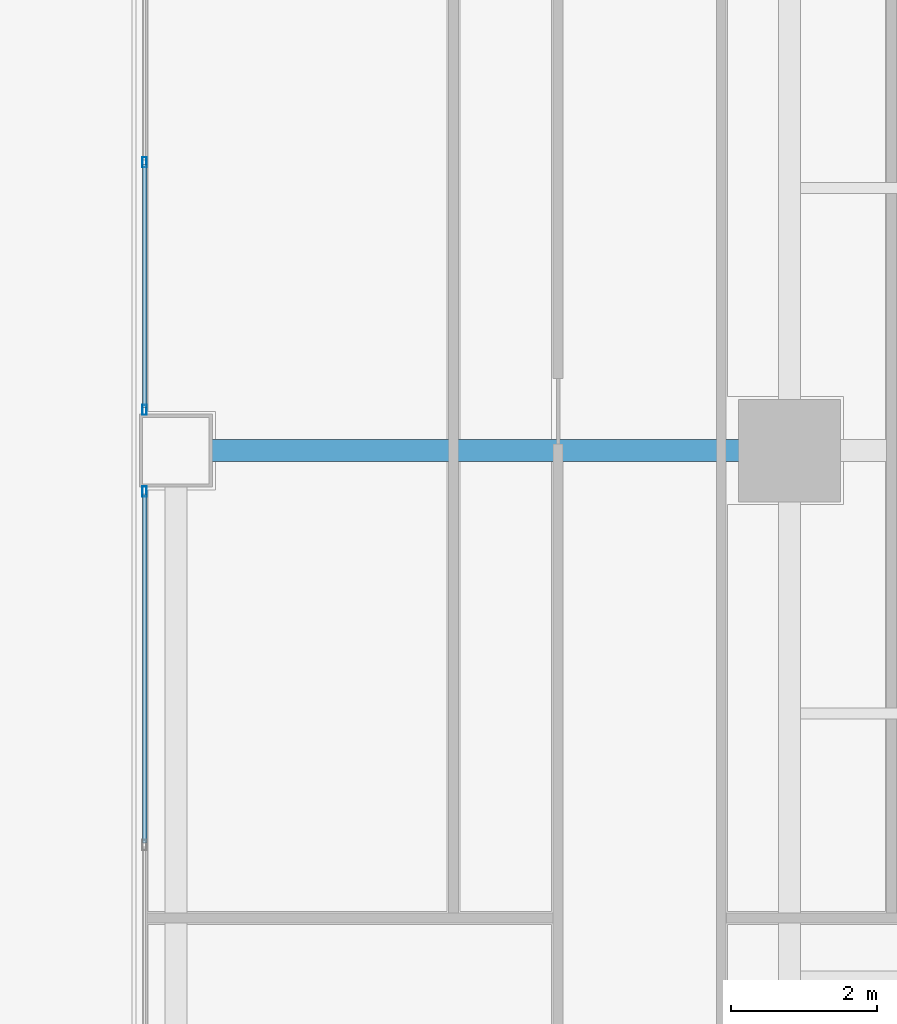
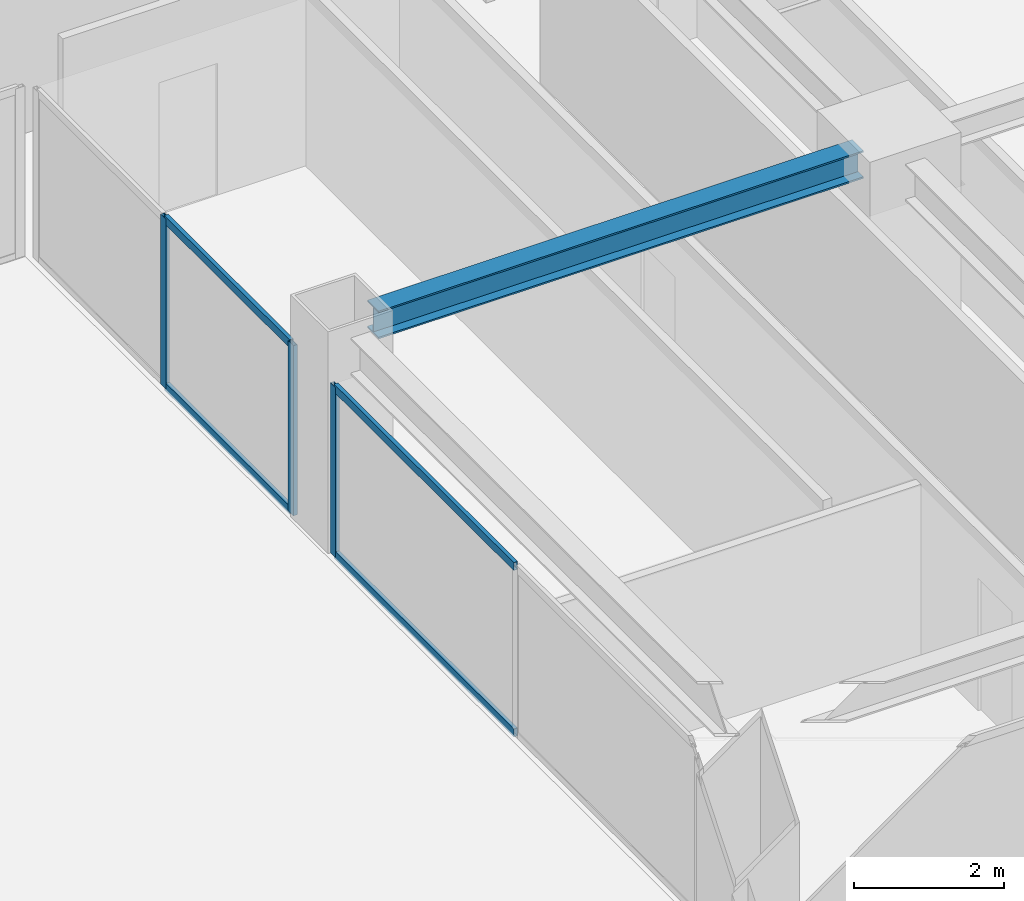
# One storey, part 14 of 30: 7 members, 1 beam, 2 elements without a shape of their own.
"""IFC4 building model written with IfcOpenShell, lengths in metres."""

from ifc_helpers import new_model, si_unit, direction, frame, origin, origin_2d, place, context, subcontext, project, spatial, hollow_rectangle, i_section, extrude, source, transform, mapped, material, layer, layer_set, material_profile, profile_set, type_object, element, aggregate, save


model = new_model("IFC4")

# Units and contexts
model_context = context("Model", 3, precision=1e-05, world=origin(), true_north=direction((0.0, 1.0)))
body_context = subcontext(model_context, "Body", "Model", "MODEL_VIEW")
ifc_project = project(units=[si_unit("LENGTHUNIT", "METRE"), si_unit("AREAUNIT", "SQUARE_METRE"), si_unit("VOLUMEUNIT", "CUBIC_METRE"), si_unit("PLANEANGLEUNIT", "RADIAN"), si_unit("MASSUNIT", "GRAM", prefix="KILO")], contexts=[model_context])

# Site, building, storey
site_placement = place(None, origin())
site = spatial("IfcSite", under=ifc_project, at=site_placement, CompositionType="ELEMENT")
building_placement = place(site_placement, origin())
building = spatial("IfcBuilding", under=site, at=building_placement, Name="Sumidabori Civic Tower", CompositionType="ELEMENT")
storey_placement = place(building_placement, frame((0.0, 0.0, 196.39990234375)))
storey = spatial("IfcBuildingStorey", under=building, at=storey_placement, Name="L50", CompositionType="ELEMENT", Elevation=196.39990234375)

# Beam
ifc_material_1 = material(Name="Steel SN490", Category="steel")
ifc_material_profile_1 = material_profile(ifc_material_1, i_section(OverallWidth=0.300048828125, OverallDepth=0.449951171875, WebThickness=0.013916015625, FlangeThickness=0.02587890625, at=origin_2d()), Name="HE 450 B")
ifc_profile_set_1 = profile_set([ifc_material_profile_1], Name="Steel SN490")
beam_type = type_object("IfcBeamType", Name="BM-GIRD-450", PredefinedType="BEAM", material=ifc_profile_set_1)
shared_shape_1 = source(origin(), body_context, "Body", "SweptSolid", [
    extrude(i_section(OverallWidth=0.300048828125, OverallDepth=0.449951171875, WebThickness=0.013916015625, FlangeThickness=0.02587890625, at=origin_2d()), origin(), (0.0, 0.0, 1.0), 7.440185546875),
])
beam_placement = place(storey_placement, frame((8.8798828125, 0.0, 3.155029296875), z_axis=(1.0, 0.0, 0.0), x_axis=(0.0, 1.0, 0.0)))
element("IfcBeam", 1, at=beam_placement, inside=storey, type_object=beam_type, Name="Primary Girder L50 GX-07", PredefinedType="BEAM", context=body_context, shape_type="MappedRepresentation", body=[
    mapped(shared_shape_1, transform((0.0, 0.0, 0.0), x_axis=(1.0, 0.0, 0.0), y_axis=(0.0, 1.0, 0.0), z_axis=(0.0, 0.0, 1.0), scale=1.0)),
])

# Curtain wall, members
ifc_material_2 = material(Name="Anodised Bronze Aluminium AW-6063-T6", Category="aluminium")
ifc_layer = layer(ifc_material_2, 0.179931640625, Name="Anodised Bronze Aluminium AW-6063-T6")
ifc_layer_set = layer_set([ifc_layer], Name="Anodised Bronze Aluminium AW-6063-T6")
curtain_wall_type = type_object("IfcCurtainWallType", Name="CW-SYS-4", PredefinedType="NOTDEFINED", material=ifc_layer_set)
curtain_wall_1_placement = place(storey_placement, origin())
curtain_wall_1 = element("IfcCurtainWall", 2, at=curtain_wall_1_placement, inside=storey, type_object=curtain_wall_type, Name="Curtain Wall CW:L50:R06", PredefinedType="NOTDEFINED")
ifc_material_profile_2 = material_profile(ifc_material_2, hollow_rectangle(XDim=0.06005859375, YDim=0.139892578125, WallThickness=0.0048828125, at=origin_2d()), Name="ALU MULLION 140x60")
ifc_profile_set_2 = profile_set([ifc_material_profile_2], Name="Anodised Bronze Aluminium AW-6063-T6")
member_type_1 = type_object("IfcMemberType", Name="CW-MUL-140", PredefinedType="MULLION", material=ifc_profile_set_2)
shared_shape_2 = source(origin(), body_context, "Body", "SweptSolid", [
    extrude(hollow_rectangle(XDim=0.06005859375, YDim=0.139892578125, WallThickness=0.0048828125, at=origin_2d()), origin(), (0.0, 0.0, 1.0), 2.760009765625),
])
member_1_placement = place(storey_placement, frame((7.969970703125, 3.949951171875, 0.0), z_axis=(0.0, 0.0, 1.0), x_axis=(1.0, 0.0, 0.0)))
member_1 = element("IfcMember", 3, at=member_1_placement, type_object=member_type_1, Name="CW-4 mullion 2", PredefinedType="MULLION", context=body_context, shape_type="MappedRepresentation", body=[
    mapped(shared_shape_2, transform((0.0, 0.0, 0.0), x_axis=(1.0, 0.0, 0.0), y_axis=(0.0, 1.0, 0.0), z_axis=(0.0, 0.0, 1.0), scale=1.0)),
])
member_2_placement = place(storey_placement, frame((7.969970703125, 0.56005859375, 0.0), z_axis=(0.0, 0.0, 1.0), x_axis=(1.0, 0.0, 0.0)))
member_2 = element("IfcMember", 4, at=member_2_placement, type_object=member_type_1, Name="CW-4 mullion 3", PredefinedType="MULLION", context=body_context, shape_type="MappedRepresentation", body=[
    mapped(shared_shape_2, transform((0.0, 0.0, 0.0), x_axis=(1.0, 0.0, 0.0), y_axis=(0.0, 1.0, 0.0), z_axis=(0.0, 0.0, 1.0), scale=1.0)),
])

curtain_wall_2_placement = place(storey_placement, origin())
curtain_wall_2 = element("IfcCurtainWall", 5, at=curtain_wall_2_placement, inside=storey, type_object=curtain_wall_type, Name="Curtain Wall CW:L50:R07", PredefinedType="NOTDEFINED")
member_3_placement = place(storey_placement, frame((7.969970703125, -0.56005859375, 0.0), z_axis=(0.0, 0.0, 1.0), x_axis=(1.0, 0.0, 0.0)))
member_3 = element("IfcMember", 6, at=member_3_placement, type_object=member_type_1, Name="CW-4 mullion 1", PredefinedType="MULLION", context=body_context, shape_type="MappedRepresentation", body=[
    mapped(shared_shape_2, transform((0.0, 0.0, 0.0), x_axis=(1.0, 0.0, 0.0), y_axis=(0.0, 1.0, 0.0), z_axis=(0.0, 0.0, 1.0), scale=1.0)),
])
ifc_material_profile_3 = material_profile(ifc_material_2, hollow_rectangle(XDim=0.06005859375, YDim=0.1298828125, WallThickness=0.0048828125, at=origin_2d()), Name="ALU TRANSOM 130x60")
ifc_profile_set_3 = profile_set([ifc_material_profile_3], Name="Anodised Bronze Aluminium AW-6063-T6")
member_type_2 = type_object("IfcMemberType", Name="CW-TRN-130", PredefinedType="USERDEFINED", material=ifc_profile_set_3)
shared_shape_3 = source(origin(), body_context, "Body", "SweptSolid", [
    extrude(hollow_rectangle(XDim=0.06005859375, YDim=0.1298828125, WallThickness=0.0048828125, at=origin_2d()), origin(), (0.0, 0.0, 1.0), 4.780029296875),
])
member_4_placement = place(storey_placement, frame((7.969970703125, -0.590087890625, 0.030029296875), z_axis=(0.0, -1.0, 0.0), x_axis=(1.0, 0.0, 0.0)))
member_4 = element("IfcMember", 7, at=member_4_placement, type_object=member_type_2, Name="CW-4 transom 1.1", ObjectType="TRANSOM", PredefinedType="USERDEFINED", context=body_context, shape_type="MappedRepresentation", body=[
    mapped(shared_shape_3, transform((0.0, 0.0, 0.0), x_axis=(1.0, 0.0, 0.0), y_axis=(0.0, 1.0, 0.0), z_axis=(0.0, 0.0, 1.0), scale=1.0)),
])
member_5_placement = place(storey_placement, frame((7.969970703125, -0.590087890625, 2.72998046875), z_axis=(0.0, -1.0, 0.0), x_axis=(1.0, 0.0, 0.0)))
member_5 = element("IfcMember", 8, at=member_5_placement, type_object=member_type_2, Name="CW-4 transom 1.2", ObjectType="TRANSOM", PredefinedType="USERDEFINED", context=body_context, shape_type="MappedRepresentation", body=[
    mapped(shared_shape_3, transform((0.0, 0.0, 0.0), x_axis=(1.0, 0.0, 0.0), y_axis=(0.0, 1.0, 0.0), z_axis=(0.0, 0.0, 1.0), scale=1.0)),
])
aggregate(curtain_wall_2, [member_3, member_4, member_5])

# Member
shared_shape_4 = source(origin(), body_context, "Body", "SweptSolid", [
    extrude(hollow_rectangle(XDim=0.06005859375, YDim=0.1298828125, WallThickness=0.0048828125, at=origin_2d()), origin(), (0.0, 0.0, 1.0), 3.329833984375),
])
member_6_placement = place(storey_placement, frame((7.969970703125, 3.919921875, 0.030029296875), z_axis=(0.0, -1.0, 0.0), x_axis=(1.0, 0.0, 0.0)))
member_6 = element("IfcMember", 9, at=member_6_placement, type_object=member_type_2, Name="CW-4 transom 2.1", ObjectType="TRANSOM", PredefinedType="USERDEFINED", context=body_context, shape_type="MappedRepresentation", body=[
    mapped(shared_shape_4, transform((0.0, 0.0, 0.0), x_axis=(1.0, 0.0, 0.0), y_axis=(0.0, 1.0, 0.0), z_axis=(0.0, 0.0, 1.0), scale=1.0)),
])

member_7_placement = place(storey_placement, frame((7.969970703125, 3.919921875, 2.72998046875), z_axis=(0.0, -1.0, 0.0), x_axis=(1.0, 0.0, 0.0)))
member_7 = element("IfcMember", 10, at=member_7_placement, type_object=member_type_2, Name="CW-4 transom 2.2", ObjectType="TRANSOM", PredefinedType="USERDEFINED", context=body_context, shape_type="MappedRepresentation", body=[
    mapped(shared_shape_4, transform((0.0, 0.0, 0.0), x_axis=(1.0, 0.0, 0.0), y_axis=(0.0, 1.0, 0.0), z_axis=(0.0, 0.0, 1.0), scale=1.0)),
])

aggregate(curtain_wall_1, [member_1, member_2, member_6, member_7])

save(model, "model.ifc")
